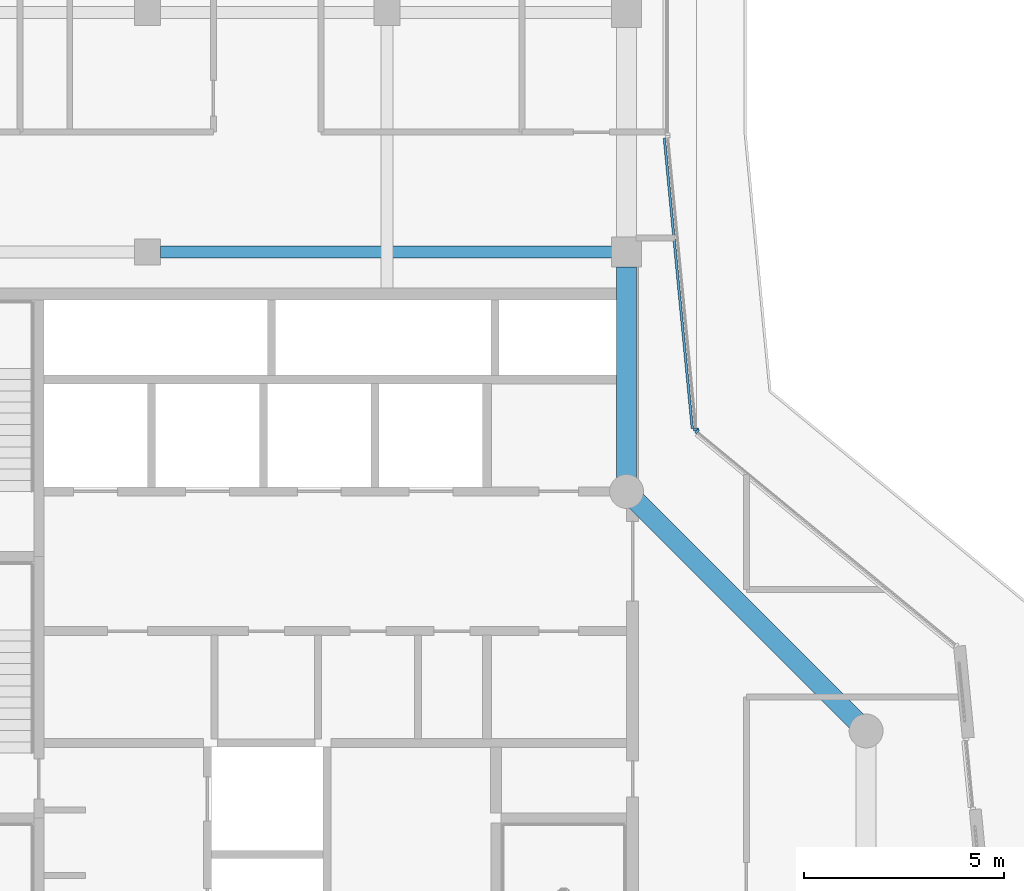
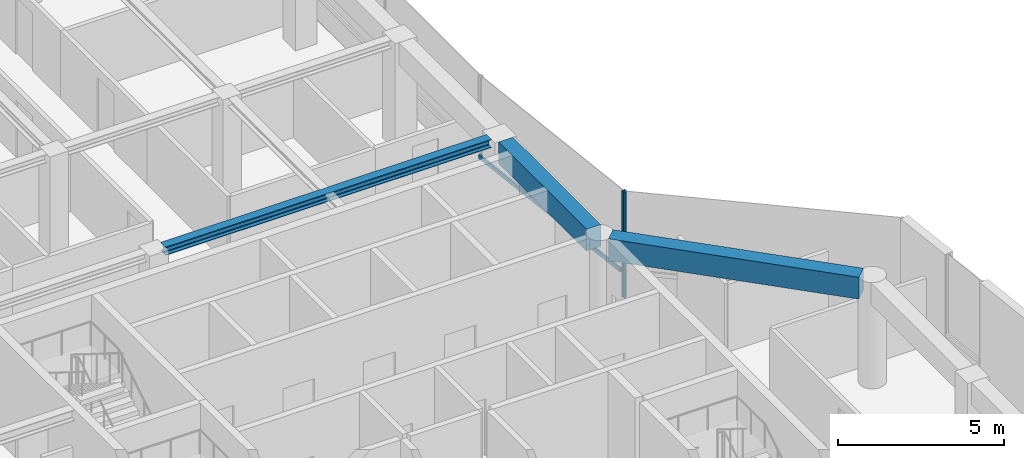
# One storey, part 5 of 22: 3 beams, 3 members, 2 elements without a shape of their own.
"""IFC4 building model written with IfcOpenShell, lengths in metres."""

from ifc_helpers import new_model, si_unit, direction, frame, origin, origin_2d, place, context, subcontext, project, spatial, rectangle, i_section, extrude, material, layer, layer_set, material_profile, profile_set, type_object, element, aggregate, save


model = new_model("IFC4")

# Units and contexts
model_context = context("Model", 3, precision=1e-05, world=origin(), true_north=direction((0.0, 1.0)))
body_context = subcontext(model_context, "Body", "Model", "MODEL_VIEW")
ifc_project = project(units=[si_unit("LENGTHUNIT", "METRE"), si_unit("AREAUNIT", "SQUARE_METRE"), si_unit("VOLUMEUNIT", "CUBIC_METRE"), si_unit("PLANEANGLEUNIT", "RADIAN"), si_unit("MASSUNIT", "GRAM", prefix="KILO")], contexts=[model_context])

# Site, building, storey
site_placement = place(None, origin())
site = spatial("IfcSite", under=ifc_project, at=site_placement, CompositionType="ELEMENT")
building_placement = place(site_placement, origin())
building = spatial("IfcBuilding", under=site, at=building_placement, Name="Welwitschia Terrace Campus", CompositionType="ELEMENT")
storey_placement = place(building_placement, frame((0.0, 0.0, 310.39990234375)))
storey = spatial("IfcBuildingStorey", under=building, at=storey_placement, Name="L69", CompositionType="ELEMENT", Elevation=310.39990234375)

# Beam
ifc_material_1 = material(Name="Steel S355", Category="steel")
ifc_material_profile_1 = material_profile(ifc_material_1, i_section(OverallWidth=0.300048828125, OverallDepth=0.300048828125, WebThickness=0.010986328125, FlangeThickness=0.01904296875, FilletRadius=0.027099609375, at=origin_2d()))
ifc_profile_set_1 = profile_set([ifc_material_profile_1], Name="Steel S355")
beam_type_1 = type_object("IfcBeamType", Name="Interior girder HE 300 B", PredefinedType="BEAM", material=ifc_profile_set_1)
beam_1_placement = place(storey_placement, frame((12.325439453125, 26.0, 3.75), z_axis=(1.0, 0.0, 0.0), x_axis=(0.0, 1.0, 0.0)))
element("IfcBeam", 1, at=beam_1_placement, inside=storey, type_object=beam_type_1, Name="Girder GB6", PredefinedType="BEAM", context=body_context, shape_type="SweptSolid", body=[
    extrude(i_section(OverallWidth=0.300048828125, OverallDepth=0.300048828125, WebThickness=0.010986328125, FlangeThickness=0.01904296875, FilletRadius=0.027099609375, at=origin_2d()), origin(), (0.0, 0.0, 1.0), 11.30908203125),
])

# Curtain wall, member
ifc_material_2 = material(Name="Bronze anodised aluminium", Category="aluminium")
ifc_layer = layer(ifc_material_2, 0.1201171875)
ifc_layer_set = layer_set([ifc_layer], Name="Bronze anodised aluminium")
curtain_wall_type = type_object("IfcCurtainWallType", Name="Curtain wall CW2 tower 6000", PredefinedType="NOTDEFINED", material=ifc_layer_set)
curtain_wall_1_placement = place(storey_placement, origin())
curtain_wall_1 = element("IfcCurtainWall", 2, at=curtain_wall_1_placement, inside=storey, type_object=curtain_wall_type, Name="CW L69.5.0", PredefinedType="NOTDEFINED")
ifc_material_3 = material(Name="Bronze anodised aluminium", Category="aluminium")
ifc_material_profile_2 = material_profile(ifc_material_3, rectangle(XDim=0.1201171875, YDim=0.06005859375, at=origin_2d()))
ifc_profile_set_2 = profile_set([ifc_material_profile_2], Name="Bronze anodised aluminium")
member_type_1 = type_object("IfcMemberType", Name="Mullion 60x120", PredefinedType="MULLION", material=ifc_profile_set_2)
member_1_placement = place(storey_placement, frame((25.765380859375, 21.50390625, 0.0), z_axis=(0.0, 0.0, 1.0), x_axis=(-0.636078220278, -0.771624583388, 0.0)))
member_1 = element("IfcMember", 3, at=member_1_placement, type_object=member_type_1, Name="Mullion L69.5.0.1", PredefinedType="MULLION", context=body_context, shape_type="SweptSolid", body=[
    extrude(rectangle(XDim=0.1201171875, YDim=0.06005859375, at=origin_2d()), origin(), (0.0, 0.0, 1.0), 3.900146484375),
])
aggregate(curtain_wall_1, [member_1])

curtain_wall_2_placement = place(storey_placement, origin())
curtain_wall_2 = element("IfcCurtainWall", 4, at=curtain_wall_2_placement, inside=storey, type_object=curtain_wall_type, Name="CW L69.6.0", PredefinedType="NOTDEFINED")
member_2_placement = place(storey_placement, frame((25.7392578125, 21.552978515625, 0.0), z_axis=(0.0, 0.0, 1.0), x_axis=(-0.995396198367, -0.09584575252, 0.0)))
member_2 = element("IfcMember", 5, at=member_2_placement, type_object=member_type_1, Name="Mullion L69.6.0.0", PredefinedType="MULLION", context=body_context, shape_type="SweptSolid", body=[
    extrude(rectangle(XDim=0.1201171875, YDim=0.06005859375, at=origin_2d()), origin(), (0.0, 0.0, 1.0), 3.900146484375),
])

# Beams
ifc_material_4 = material(Name="Concrete C50/60", Category="concrete")
ifc_material_profile_3 = material_profile(ifc_material_4, rectangle(XDim=0.5, YDim=0.800048828125, at=origin_2d()))
ifc_profile_set_3 = profile_set([ifc_material_profile_3], Name="Concrete C50/60")
beam_type_2 = type_object("IfcBeamType", Name="Ring spandrel 500x800", PredefinedType="SPANDREL", material=ifc_profile_set_3)
beam_2_placement = place(storey_placement, frame((29.75634765625, 14.24365234375, 3.5), z_axis=(-0.707106781187, 0.707106781187, 0.0), x_axis=(-0.707106781187, -0.707106781187, 0.0)))
element("IfcBeam", 6, at=beam_2_placement, inside=storey, type_object=beam_type_2, Name="Spandrel SP4", PredefinedType="SPANDREL", context=body_context, shape_type="SweptSolid", body=[
    extrude(rectangle(XDim=0.5, YDim=0.800048828125, at=origin_2d()), origin(), (0.0, 0.0, 1.0), 7.796142578125),
])
beam_3_placement = place(storey_placement, frame((24.0, 20.344482421875, 3.5), z_axis=(0.0, 1.0, 0.0), x_axis=(-1.0, 0.0, 0.0)))
element("IfcBeam", 7, at=beam_3_placement, inside=storey, type_object=beam_type_2, Name="Spandrel SP4", PredefinedType="SPANDREL", context=body_context, shape_type="SweptSolid", body=[
    extrude(rectangle(XDim=0.5, YDim=0.800048828125, at=origin_2d()), origin(), (0.0, 0.0, 1.0), 5.280029296875),
])

# Member
ifc_material_5 = material(Name="Bronze anodised aluminium", Category="aluminium")
ifc_material_profile_4 = material_profile(ifc_material_5, rectangle(XDim=0.06005859375, YDim=0.14990234375, at=origin_2d()))
ifc_profile_set_4 = profile_set([ifc_material_profile_4], Name="Bronze anodised aluminium")
member_type_2 = type_object("IfcMemberType", Name="Transom 60x150", PredefinedType="USERDEFINED", material=ifc_profile_set_4)
member_3_placement = place(storey_placement, frame((25.646728515625, 21.57421875, 1.0), z_axis=(-0.095849224287, 0.995395864068, 0.0), x_axis=(-0.995395864068, -0.095849224287, 0.0)))
member_3 = element("IfcMember", 8, at=member_3_placement, type_object=member_type_2, Name="Transom L69.6.0", ObjectType="TRANSOM", PredefinedType="USERDEFINED", context=body_context, shape_type="SweptSolid", body=[
    extrude(rectangle(XDim=0.06005859375, YDim=0.14990234375, at=origin_2d()), origin(), (0.0, 0.0, 1.0), 7.310302734375),
])

aggregate(curtain_wall_2, [member_2, member_3])

save(model, "model.ifc")
